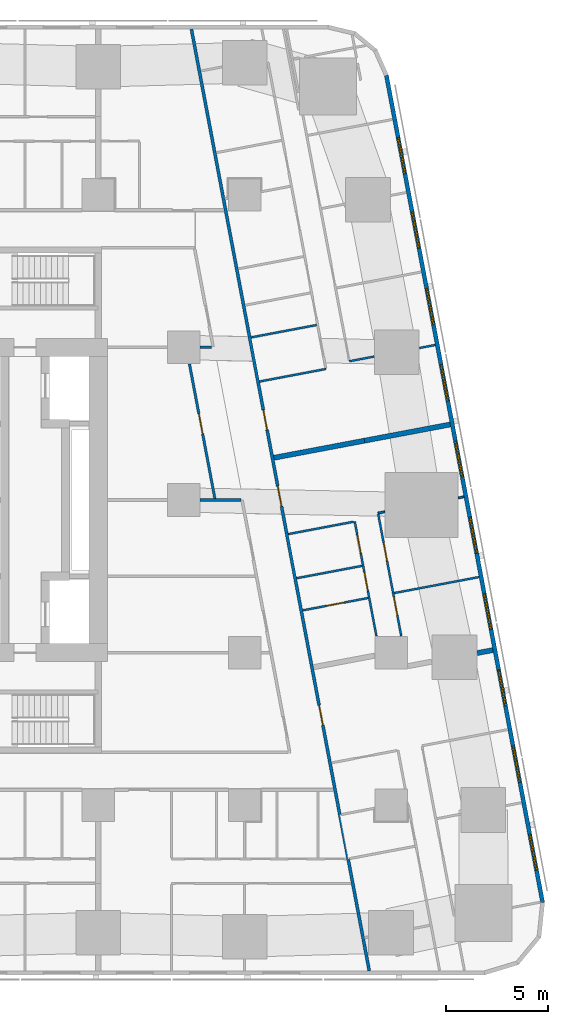
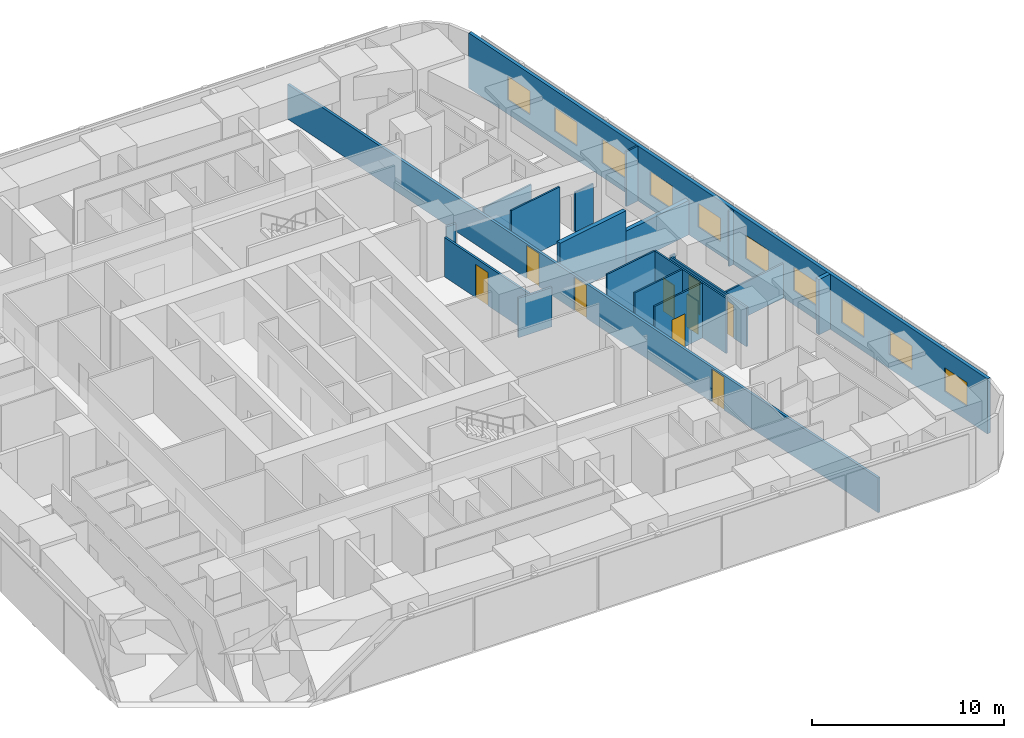
# One storey, part 7 of 15: 20 walls, 10 windows, 9 doors, 19 openings.
"""IFC4 building model written with IfcOpenShell, lengths in metres."""

from ifc_helpers import new_model, si_unit, direction, frame, frame_2d, origin, place, context, subcontext, project, spatial, rectangle, extrude, material, layer, layer_set, type_object, element, fill, save


model = new_model("IFC4")

# Units and contexts
model_context = context("Model", 3, precision=1e-05, world=origin(), true_north=direction((0.0, 1.0)))
body_context = subcontext(model_context, "Body", "Model", "MODEL_VIEW")
ifc_project = project(units=[si_unit("LENGTHUNIT", "METRE"), si_unit("AREAUNIT", "SQUARE_METRE"), si_unit("VOLUMEUNIT", "CUBIC_METRE"), si_unit("PLANEANGLEUNIT", "RADIAN"), si_unit("MASSUNIT", "GRAM", prefix="KILO")], contexts=[model_context])

# Site, building, storey
site_placement = place(None, origin())
site = spatial("IfcSite", under=ifc_project, at=site_placement, CompositionType="ELEMENT")
building_placement = place(site_placement, origin())
building = spatial("IfcBuilding", under=site, at=building_placement, Name="Sheger Commons Tower", CompositionType="ELEMENT")
storey_placement = place(building_placement, frame((0.0, 0.0, 81.64990234375)))
storey = spatial("IfcBuildingStorey", under=building, at=storey_placement, Name="L20", CompositionType="ELEMENT", Elevation=81.64990234375)

# Wall, openings, doors
ifc_material_1 = material(Name="Hollow concrete block masonry, skimmed both sides", Category="masonry")
ifc_layer_1 = layer(ifc_material_1, 0.14990234375)
ifc_layer_set_1 = layer_set([ifc_layer_1], Name="CORRIDOR WALL 150")
wall_type_1 = type_object("IfcWallType", Name="CORRIDOR WALL 150", PredefinedType="SOLIDWALL", material=ifc_layer_set_1)
wall_1_placement = place(storey_placement, frame((33.382080078125, 45.64990234375, 0.0), z_axis=(0.0, 0.0, 1.0), x_axis=(0.185593544777, -0.982626600565, 0.0)))
wall_1 = element("IfcWall", 1, at=wall_1_placement, inside=storey, type_object=wall_type_1, Name="Corridor wall L20", PredefinedType="SOLIDWALL", context=body_context, shape_type="SweptSolid", body=[
    extrude(rectangle(XDim=47.118408203125, YDim=0.14990234375, at=frame_2d((23.55908203125, 0.0))), origin(), (0.0, 0.0, 1.0), 2.2001953125),
])
opening_1_placement = place(wall_1_placement, frame((19.053955078125, 0.0, 0.0)))
opening_1 = element("IfcOpeningElement", 2, at=opening_1_placement, cuts=wall_1, Name="Opening D1", PredefinedType="OPENING", context=body_context, shape_type="SweptSolid", body=[
    extrude(rectangle(XDim=1.0, YDim=2.10009765625, at=frame_2d((0.5, 1.050048828125))), frame((0.0, 0.0849609375, 0.0), z_axis=(0.0, -1.0, 0.0), x_axis=(1.0, 0.0, 0.0)), (0.0, 0.0, 1.0), 0.169921875),
])
opening_2_placement = place(wall_1_placement, frame((22.8701171875, 0.0, 0.0)))
opening_2 = element("IfcOpeningElement", 3, at=opening_2_placement, cuts=wall_1, Name="Opening D1", PredefinedType="OPENING", context=body_context, shape_type="SweptSolid", body=[
    extrude(rectangle(XDim=1.0, YDim=2.10009765625, at=frame_2d((0.5, 1.050048828125))), frame((0.0, 0.0849609375, 0.0), z_axis=(0.0, -1.0, 0.0), x_axis=(1.0, 0.0, 0.0)), (0.0, 0.0, 1.0), 0.169921875),
])
opening_3_placement = place(wall_1_placement, frame((33.8330078125, 0.0, 0.0)))
opening_3 = element("IfcOpeningElement", 4, at=opening_3_placement, cuts=wall_1, Name="Opening D1", PredefinedType="OPENING", context=body_context, shape_type="SweptSolid", body=[
    extrude(rectangle(XDim=1.0, YDim=2.10009765625, at=frame_2d((0.5, 1.050048828125))), frame((0.0, 0.0849609375, 0.0), z_axis=(0.0, -1.0, 0.0), x_axis=(1.0, 0.0, 0.0)), (0.0, 0.0, 1.0), 0.169921875),
])
ifc_material_2 = material(Name="Steel door set, fire rated", Category="steel")
door_type_1 = type_object("IfcDoorType", Name="FLAT ENTRANCE DOOR 1000x2100", OperationType="NOTDEFINED", PredefinedType="DOOR", material=ifc_material_2)
door_1_placement = place(opening_1_placement, origin())
door_1 = element("IfcDoor", 5, at=door_1_placement, inside=storey, type_object=door_type_1, Name="Flat entrance door", OperationType="SINGLE_SWING_RIGHT", OverallHeight=2.10009765625, OverallWidth=1.0, PredefinedType="DOOR", context=body_context, shape_type="SweptSolid", body=[
    extrude(rectangle(XDim=1.0, YDim=2.10009765625, at=frame_2d((0.5, 1.050048828125))), frame((0.0, 0.02490234375, 0.0), z_axis=(0.0, -1.0, 0.0), x_axis=(1.0, 0.0, 0.0)), (0.0, 0.0, 1.0), 0.050048828125),
])
fill(opening_1, door_1)
door_2_placement = place(opening_2_placement, origin())
door_2 = element("IfcDoor", 6, at=door_2_placement, inside=storey, type_object=door_type_1, Name="Flat entrance door", OperationType="SINGLE_SWING_LEFT", OverallHeight=2.10009765625, OverallWidth=1.0, PredefinedType="DOOR", context=body_context, shape_type="SweptSolid", body=[
    extrude(rectangle(XDim=1.0, YDim=2.10009765625, at=frame_2d((0.5, 1.050048828125))), frame((0.0, 0.02490234375, 0.0), z_axis=(0.0, -1.0, 0.0), x_axis=(1.0, 0.0, 0.0)), (0.0, 0.0, 1.0), 0.050048828125),
])
fill(opening_2, door_2)
door_3_placement = place(opening_3_placement, origin())
door_3 = element("IfcDoor", 7, at=door_3_placement, inside=storey, type_object=door_type_1, Name="Flat entrance door", OperationType="SINGLE_SWING_LEFT", OverallHeight=2.10009765625, OverallWidth=1.0, PredefinedType="DOOR", context=body_context, shape_type="SweptSolid", body=[
    extrude(rectangle(XDim=1.0, YDim=2.10009765625, at=frame_2d((0.5, 1.050048828125))), frame((0.0, 0.02490234375, 0.0), z_axis=(0.0, -1.0, 0.0), x_axis=(1.0, 0.0, 0.0)), (0.0, 0.0, 1.0), 0.050048828125),
])
fill(opening_3, door_3)

# Walls
ifc_material_3 = material(Name="Dense concrete block masonry, plastered both sides (separating wall between flats)", Category="masonry")
ifc_layer_2 = layer(ifc_material_3, 0.25)
ifc_layer_set_2 = layer_set([ifc_layer_2], Name="DEMISING WALL 250")
wall_type_2 = type_object("IfcWallType", Name="DEMISING WALL 250", PredefinedType="SOLIDWALL", material=ifc_layer_set_2)
wall_2_placement = place(storey_placement, frame((46.110107421875, 26.212890625, 0.0), z_axis=(0.0, 0.0, 1.0), x_axis=(-0.982633535512, -0.185556823879, 0.0)))
element("IfcWall", 8, at=wall_2_placement, inside=storey, type_object=wall_type_2, Name="Demising wall L20", PredefinedType="SOLIDWALL", context=body_context, shape_type="SweptSolid", body=[
    extrude(rectangle(XDim=4.2998046875, YDim=0.25, at=frame_2d((2.14990234375, 0.0))), origin(), (0.0, 0.0, 1.0), 2.2001953125),
])
wall_3_placement = place(storey_placement, frame((41.885009765625, 25.4150390625, 0.0), z_axis=(0.0, 0.0, 1.0), x_axis=(-0.982612837616, -0.185666398014, 0.0)))
element("IfcWall", 9, at=wall_3_placement, inside=storey, type_object=wall_type_2, Name="Demising wall L20", PredefinedType="SOLIDWALL", context=body_context, shape_type="SweptSolid", body=[
    extrude(rectangle(XDim=4.524658203125, YDim=0.25, at=frame_2d((2.26220703125, 0.0))), origin(), (0.0, 0.0, 1.0), 3.5),
])
wall_4_placement = place(storey_placement, frame((48.2060546875, 15.1201171875, 0.0), z_axis=(0.0, 0.0, 1.0), x_axis=(-0.982638023929, -0.185533053469, 0.0)))
element("IfcWall", 10, at=wall_4_placement, inside=storey, type_object=wall_type_2, Name="Demising wall L20", PredefinedType="SOLIDWALL", context=body_context, shape_type="SweptSolid", body=[
    extrude(rectangle(XDim=0.78173828125, YDim=0.25, at=frame_2d((0.390869140625, 0.0))), origin(), (0.0, 0.0, 1.0), 3.5),
])

# Wall, openings, windows
ifc_material_4 = material(Name="Rendered concrete block masonry, dark grey", Category="masonry")
ifc_layer_3 = layer(ifc_material_4, 0.199951171875)
ifc_layer_set_3 = layer_set([ifc_layer_3], Name="FACADE WALL 200")
wall_type_3 = type_object("IfcWallType", Name="FACADE WALL 200", PredefinedType="SOLIDWALL", material=ifc_layer_set_3)
wall_5_placement = place(storey_placement, frame((50.653076171875, 2.702880859375, 0.0), z_axis=(0.0, 0.0, 1.0), x_axis=(-0.185612026696, 0.982623109613, 0.0)))
wall_5 = element("IfcWall", 11, at=wall_5_placement, inside=storey, type_object=wall_type_3, Name="Facade wall L20", PredefinedType="SOLIDWALL", context=body_context, shape_type="SweptSolid", body=[
    extrude(rectangle(XDim=41.393310546875, YDim=0.199951171875, at=frame_2d((20.69677734375, 0.0))), origin(), (0.0, 0.0, 1.0), 3.5),
])
opening_4_placement = place(wall_5_placement, frame((1.633056640625, 0.0, 0.89990234375)))
opening_4 = element("IfcOpeningElement", 12, at=opening_4_placement, cuts=wall_5, Name="Opening W2", PredefinedType="OPENING", context=body_context, shape_type="SweptSolid", body=[
    extrude(rectangle(XDim=1.800048828125, YDim=1.5, at=frame_2d((0.89990234375, 0.75))), frame((0.0, 0.10986328125, 0.0), z_axis=(0.0, -1.0, 0.0), x_axis=(1.0, 0.0, 0.0)), (0.0, 0.0, 1.0), 0.219970703125),
])
opening_5_placement = place(wall_5_placement, frame((6.031982421875, 0.0, 0.89990234375)))
opening_5 = element("IfcOpeningElement", 13, at=opening_5_placement, cuts=wall_5, Name="Opening W2", PredefinedType="OPENING", context=body_context, shape_type="SweptSolid", body=[
    extrude(rectangle(XDim=1.800048828125, YDim=1.5, at=frame_2d((0.89990234375, 0.75))), frame((0.0, 0.10986328125, 0.0), z_axis=(0.0, -1.0, 0.0), x_axis=(1.0, 0.0, 0.0)), (0.0, 0.0, 1.0), 0.219970703125),
])
opening_6_placement = place(wall_5_placement, frame((9.847900390625, 0.0, 0.89990234375)))
opening_6 = element("IfcOpeningElement", 14, at=opening_6_placement, cuts=wall_5, Name="Opening W2", PredefinedType="OPENING", context=body_context, shape_type="SweptSolid", body=[
    extrude(rectangle(XDim=1.800048828125, YDim=1.5, at=frame_2d((0.89990234375, 0.75))), frame((0.0, 0.10986328125, 0.0), z_axis=(0.0, -1.0, 0.0), x_axis=(1.0, 0.0, 0.0)), (0.0, 0.0, 1.0), 0.219970703125),
])
opening_7_placement = place(wall_5_placement, frame((13.6640625, 0.0, 0.89990234375)))
opening_7 = element("IfcOpeningElement", 15, at=opening_7_placement, cuts=wall_5, Name="Opening W2", PredefinedType="OPENING", context=body_context, shape_type="SweptSolid", body=[
    extrude(rectangle(XDim=1.800048828125, YDim=1.5, at=frame_2d((0.89990234375, 0.75))), frame((0.0, 0.10986328125, 0.0), z_axis=(0.0, -1.0, 0.0), x_axis=(1.0, 0.0, 0.0)), (0.0, 0.0, 1.0), 0.219970703125),
])
opening_8_placement = place(wall_5_placement, frame((17.48095703125, 0.0, 0.89990234375)))
opening_8 = element("IfcOpeningElement", 16, at=opening_8_placement, cuts=wall_5, Name="Opening W2", PredefinedType="OPENING", context=body_context, shape_type="SweptSolid", body=[
    extrude(rectangle(XDim=1.800048828125, YDim=1.5, at=frame_2d((0.89990234375, 0.75))), frame((0.0, 0.10986328125, 0.0), z_axis=(0.0, -1.0, 0.0), x_axis=(1.0, 0.0, 0.0)), (0.0, 0.0, 1.0), 0.219970703125),
])
opening_9_placement = place(wall_5_placement, frame((21.297119140625, 0.0, 0.89990234375)))
opening_9 = element("IfcOpeningElement", 17, at=opening_9_placement, cuts=wall_5, Name="Opening W2", PredefinedType="OPENING", context=body_context, shape_type="SweptSolid", body=[
    extrude(rectangle(XDim=1.800048828125, YDim=1.5, at=frame_2d((0.89990234375, 0.75))), frame((0.0, 0.10986328125, 0.0), z_axis=(0.0, -1.0, 0.0), x_axis=(1.0, 0.0, 0.0)), (0.0, 0.0, 1.0), 0.219970703125),
])
opening_10_placement = place(wall_5_placement, frame((25.113037109375, 0.0, 0.89990234375)))
opening_10 = element("IfcOpeningElement", 18, at=opening_10_placement, cuts=wall_5, Name="Opening W2", PredefinedType="OPENING", context=body_context, shape_type="SweptSolid", body=[
    extrude(rectangle(XDim=1.800048828125, YDim=1.5, at=frame_2d((0.89990234375, 0.75))), frame((0.0, 0.10986328125, 0.0), z_axis=(0.0, -1.0, 0.0), x_axis=(1.0, 0.0, 0.0)), (0.0, 0.0, 1.0), 0.219970703125),
])
opening_11_placement = place(wall_5_placement, frame((28.929931640625, 0.0, 0.89990234375)))
opening_11 = element("IfcOpeningElement", 19, at=opening_11_placement, cuts=wall_5, Name="Opening W2", PredefinedType="OPENING", context=body_context, shape_type="SweptSolid", body=[
    extrude(rectangle(XDim=1.800048828125, YDim=1.5, at=frame_2d((0.89990234375, 0.75))), frame((0.0, 0.10986328125, 0.0), z_axis=(0.0, -1.0, 0.0), x_axis=(1.0, 0.0, 0.0)), (0.0, 0.0, 1.0), 0.219970703125),
])
opening_12_placement = place(wall_5_placement, frame((32.74609375, 0.0, 0.89990234375)))
opening_12 = element("IfcOpeningElement", 20, at=opening_12_placement, cuts=wall_5, Name="Opening W2", PredefinedType="OPENING", context=body_context, shape_type="SweptSolid", body=[
    extrude(rectangle(XDim=1.800048828125, YDim=1.5, at=frame_2d((0.89990234375, 0.75))), frame((0.0, 0.10986328125, 0.0), z_axis=(0.0, -1.0, 0.0), x_axis=(1.0, 0.0, 0.0)), (0.0, 0.0, 1.0), 0.219970703125),
])
opening_13_placement = place(wall_5_placement, frame((36.48095703125, 0.0, 0.89990234375)))
opening_13 = element("IfcOpeningElement", 21, at=opening_13_placement, cuts=wall_5, Name="Opening W2", PredefinedType="OPENING", context=body_context, shape_type="SweptSolid", body=[
    extrude(rectangle(XDim=1.800048828125, YDim=1.5, at=frame_2d((0.89990234375, 0.75))), frame((0.0, 0.10986328125, 0.0), z_axis=(0.0, -1.0, 0.0), x_axis=(1.0, 0.0, 0.0)), (0.0, 0.0, 1.0), 0.219970703125),
])
ifc_material_5 = material(Name="Black aluminium frame, dark tinted double glazing", Category="aluminium")
window_type = type_object("IfcWindowType", Name="WINDOW W2 1800x1500", PartitioningType="SINGLE_PANEL", PredefinedType="WINDOW", material=ifc_material_5)
window_1_placement = place(opening_4_placement, origin())
window_1 = element("IfcWindow", 22, at=window_1_placement, inside=storey, type_object=window_type, Name="Window W2 1800X1500", OverallHeight=1.5, OverallWidth=1.800048828125, PartitioningType="SINGLE_PANEL", PredefinedType="WINDOW", context=body_context, shape_type="SweptSolid", body=[
    extrude(rectangle(XDim=1.800048828125, YDim=1.5, at=frame_2d((0.89990234375, 0.75))), frame((0.0, 0.030029296875, 0.0), z_axis=(0.0, -1.0, 0.0), x_axis=(1.0, 0.0, 0.0)), (0.0, 0.0, 1.0), 0.06005859375),
])
fill(opening_4, window_1)
window_2_placement = place(opening_5_placement, origin())
window_2 = element("IfcWindow", 23, at=window_2_placement, inside=storey, type_object=window_type, Name="Window W2 1800X1500", OverallHeight=1.5, OverallWidth=1.800048828125, PartitioningType="SINGLE_PANEL", PredefinedType="WINDOW", context=body_context, shape_type="SweptSolid", body=[
    extrude(rectangle(XDim=1.800048828125, YDim=1.5, at=frame_2d((0.89990234375, 0.75))), frame((0.0, 0.030029296875, 0.0), z_axis=(0.0, -1.0, 0.0), x_axis=(1.0, 0.0, 0.0)), (0.0, 0.0, 1.0), 0.06005859375),
])
fill(opening_5, window_2)
window_3_placement = place(opening_6_placement, origin())
window_3 = element("IfcWindow", 24, at=window_3_placement, inside=storey, type_object=window_type, Name="Window W2 1800X1500", OverallHeight=1.5, OverallWidth=1.800048828125, PartitioningType="SINGLE_PANEL", PredefinedType="WINDOW", context=body_context, shape_type="SweptSolid", body=[
    extrude(rectangle(XDim=1.800048828125, YDim=1.5, at=frame_2d((0.89990234375, 0.75))), frame((0.0, 0.030029296875, 0.0), z_axis=(0.0, -1.0, 0.0), x_axis=(1.0, 0.0, 0.0)), (0.0, 0.0, 1.0), 0.06005859375),
])
fill(opening_6, window_3)
window_4_placement = place(opening_7_placement, origin())
window_4 = element("IfcWindow", 25, at=window_4_placement, inside=storey, type_object=window_type, Name="Window W2 1800X1500", OverallHeight=1.5, OverallWidth=1.800048828125, PartitioningType="SINGLE_PANEL", PredefinedType="WINDOW", context=body_context, shape_type="SweptSolid", body=[
    extrude(rectangle(XDim=1.800048828125, YDim=1.5, at=frame_2d((0.89990234375, 0.75))), frame((0.0, 0.030029296875, 0.0), z_axis=(0.0, -1.0, 0.0), x_axis=(1.0, 0.0, 0.0)), (0.0, 0.0, 1.0), 0.06005859375),
])
fill(opening_7, window_4)
window_5_placement = place(opening_8_placement, origin())
window_5 = element("IfcWindow", 26, at=window_5_placement, inside=storey, type_object=window_type, Name="Window W2 1800X1500", OverallHeight=1.5, OverallWidth=1.800048828125, PartitioningType="SINGLE_PANEL", PredefinedType="WINDOW", context=body_context, shape_type="SweptSolid", body=[
    extrude(rectangle(XDim=1.800048828125, YDim=1.5, at=frame_2d((0.89990234375, 0.75))), frame((0.0, 0.030029296875, 0.0), z_axis=(0.0, -1.0, 0.0), x_axis=(1.0, 0.0, 0.0)), (0.0, 0.0, 1.0), 0.06005859375),
])
fill(opening_8, window_5)
window_6_placement = place(opening_9_placement, origin())
window_6 = element("IfcWindow", 27, at=window_6_placement, inside=storey, type_object=window_type, Name="Window W2 1800X1500", OverallHeight=1.5, OverallWidth=1.800048828125, PartitioningType="SINGLE_PANEL", PredefinedType="WINDOW", context=body_context, shape_type="SweptSolid", body=[
    extrude(rectangle(XDim=1.800048828125, YDim=1.5, at=frame_2d((0.89990234375, 0.75))), frame((0.0, 0.030029296875, 0.0), z_axis=(0.0, -1.0, 0.0), x_axis=(1.0, 0.0, 0.0)), (0.0, 0.0, 1.0), 0.06005859375),
])
fill(opening_9, window_6)
window_7_placement = place(opening_10_placement, origin())
window_7 = element("IfcWindow", 28, at=window_7_placement, inside=storey, type_object=window_type, Name="Window W2 1800X1500", OverallHeight=1.5, OverallWidth=1.800048828125, PartitioningType="SINGLE_PANEL", PredefinedType="WINDOW", context=body_context, shape_type="SweptSolid", body=[
    extrude(rectangle(XDim=1.800048828125, YDim=1.5, at=frame_2d((0.89990234375, 0.75))), frame((0.0, 0.030029296875, 0.0), z_axis=(0.0, -1.0, 0.0), x_axis=(1.0, 0.0, 0.0)), (0.0, 0.0, 1.0), 0.06005859375),
])
fill(opening_10, window_7)
window_8_placement = place(opening_11_placement, origin())
window_8 = element("IfcWindow", 29, at=window_8_placement, inside=storey, type_object=window_type, Name="Window W2 1800X1500", OverallHeight=1.5, OverallWidth=1.800048828125, PartitioningType="SINGLE_PANEL", PredefinedType="WINDOW", context=body_context, shape_type="SweptSolid", body=[
    extrude(rectangle(XDim=1.800048828125, YDim=1.5, at=frame_2d((0.89990234375, 0.75))), frame((0.0, 0.030029296875, 0.0), z_axis=(0.0, -1.0, 0.0), x_axis=(1.0, 0.0, 0.0)), (0.0, 0.0, 1.0), 0.06005859375),
])
fill(opening_11, window_8)
window_9_placement = place(opening_12_placement, origin())
window_9 = element("IfcWindow", 30, at=window_9_placement, inside=storey, type_object=window_type, Name="Window W2 1800X1500", OverallHeight=1.5, OverallWidth=1.800048828125, PartitioningType="SINGLE_PANEL", PredefinedType="WINDOW", context=body_context, shape_type="SweptSolid", body=[
    extrude(rectangle(XDim=1.800048828125, YDim=1.5, at=frame_2d((0.89990234375, 0.75))), frame((0.0, 0.030029296875, 0.0), z_axis=(0.0, -1.0, 0.0), x_axis=(1.0, 0.0, 0.0)), (0.0, 0.0, 1.0), 0.06005859375),
])
fill(opening_12, window_9)
window_10_placement = place(opening_13_placement, origin())
window_10 = element("IfcWindow", 31, at=window_10_placement, inside=storey, type_object=window_type, Name="Window W2 1800X1500", OverallHeight=1.5, OverallWidth=1.800048828125, PartitioningType="SINGLE_PANEL", PredefinedType="WINDOW", context=body_context, shape_type="SweptSolid", body=[
    extrude(rectangle(XDim=1.800048828125, YDim=1.5, at=frame_2d((0.89990234375, 0.75))), frame((0.0, 0.030029296875, 0.0), z_axis=(0.0, -1.0, 0.0), x_axis=(1.0, 0.0, 0.0)), (0.0, 0.0, 1.0), 0.06005859375),
])
fill(opening_13, window_10)

# Walls
ifc_material_6 = material(Name="Gypsum board on steel studs", Category="steel")
ifc_layer_4 = layer(ifc_material_6, 0.10009765625)
ifc_layer_set_4 = layer_set([ifc_layer_4], Name="PARTITION 100")
wall_type_4 = type_object("IfcWallType", Name="PARTITION 100", PredefinedType="PARTITIONING", material=ifc_layer_set_4)
wall_6_placement = place(storey_placement, frame((45.3720703125, 30.12109375, 0.0), z_axis=(0.0, 0.0, 1.0), x_axis=(-0.982512656401, -0.186195810938, 0.0)))
element("IfcWall", 32, at=wall_6_placement, inside=storey, type_object=wall_type_4, Name="Partition L20", PredefinedType="PARTITIONING", context=body_context, shape_type="SweptSolid", body=[
    extrude(rectangle(XDim=0.7958984375, YDim=0.10009765625, at=frame_2d((0.39794921875, 0.0))), origin(), (0.0, 0.0, 1.0), 3.5),
])
wall_7_placement = place(storey_placement, frame((42.3701171875, 29.552978515625, 0.0), z_axis=(0.0, 0.0, 1.0), x_axis=(-0.98263602344, -0.185543648338, 0.0)))
element("IfcWall", 33, at=wall_7_placement, inside=storey, type_object=wall_type_4, Name="Partition L20", PredefinedType="PARTITIONING", context=body_context, shape_type="SweptSolid", body=[
    extrude(rectangle(XDim=1.244873046875, YDim=0.10009765625, at=frame_2d((0.62255859375, 0.0))), origin(), (0.0, 0.0, 1.0), 2.5),
])
wall_8_placement = place(storey_placement, frame((39.9970703125, 28.94189453125, 0.0), z_axis=(0.0, 0.0, 1.0), x_axis=(-0.982569883123, -0.185893584556, 0.0)))
element("IfcWall", 34, at=wall_8_placement, inside=storey, type_object=wall_type_4, Name="Partition L20", PredefinedType="PARTITIONING", context=body_context, shape_type="SweptSolid", body=[
    extrude(rectangle(XDim=3.323974609375, YDim=0.10009765625, at=frame_2d((1.662109375, 0.0))), origin(), (0.0, 0.0, 1.0), 3.5),
])
wall_9_placement = place(storey_placement, frame((39.5380859375, 31.10400390625, 0.0), z_axis=(0.0, 0.0, 1.0), x_axis=(-0.982610347627, -0.185679575441, 0.0)))
element("IfcWall", 35, at=wall_9_placement, inside=storey, type_object=wall_type_4, Name="Partition L20", PredefinedType="PARTITIONING", context=body_context, shape_type="SweptSolid", body=[
    extrude(rectangle(XDim=3.27392578125, YDim=0.10009765625, at=frame_2d((1.636962890625, 0.0))), origin(), (0.0, 0.0, 1.0), 2.5),
])

# Wall, openings, doors
wall_10_placement = place(storey_placement, frame((42.56591796875, 21.80908203125, 0.0), z_axis=(0.0, 0.0, 1.0), x_axis=(0.18559218796, -0.982626856832, 0.0)))
wall_10 = element("IfcWall", 36, at=wall_10_placement, inside=storey, type_object=wall_type_4, Name="Partition L20", PredefinedType="PARTITIONING", context=body_context, shape_type="SweptSolid", body=[
    extrude(rectangle(XDim=6.10498046875, YDim=0.10009765625, at=frame_2d((3.052490234375, 0.0))), origin(), (0.0, 0.0, 1.0), 2.5),
])
opening_14_placement = place(wall_10_placement, frame((1.449951171875, 0.0, 0.0)))
opening_14 = element("IfcOpeningElement", 37, at=opening_14_placement, cuts=wall_10, Name="Opening D2", PredefinedType="OPENING", context=body_context, shape_type="SweptSolid", body=[
    extrude(rectangle(XDim=0.89990234375, YDim=2.10009765625, at=frame_2d((0.449951171875, 1.050048828125))), frame((0.0, 0.06005859375, 0.0), z_axis=(0.0, -1.0, 0.0), x_axis=(1.0, 0.0, 0.0)), (0.0, 0.0, 1.0), 0.1201171875),
])
opening_15_placement = place(wall_10_placement, frame((4.1630859375, 0.0, 0.0)))
opening_15 = element("IfcOpeningElement", 38, at=opening_15_placement, cuts=wall_10, Name="Opening D2", PredefinedType="OPENING", context=body_context, shape_type="SweptSolid", body=[
    extrude(rectangle(XDim=0.89990234375, YDim=2.10009765625, at=frame_2d((0.449951171875, 1.050048828125))), frame((0.0, 0.06005859375, 0.0), z_axis=(0.0, -1.0, 0.0), x_axis=(1.0, 0.0, 0.0)), (0.0, 0.0, 1.0), 0.1201171875),
])
ifc_material_7 = material(Name="Timber door set", Category="wood")
door_type_2 = type_object("IfcDoorType", Name="INTERNAL DOOR 900x2100", OperationType="NOTDEFINED", PredefinedType="DOOR", material=ifc_material_7)
door_4_placement = place(opening_14_placement, origin())
door_4 = element("IfcDoor", 39, at=door_4_placement, inside=storey, type_object=door_type_2, Name="Main bedroom door", OperationType="SINGLE_SWING_LEFT", OverallHeight=2.10009765625, OverallWidth=0.89990234375, PredefinedType="DOOR", context=body_context, shape_type="SweptSolid", body=[
    extrude(rectangle(XDim=0.89990234375, YDim=2.10009765625, at=frame_2d((0.449951171875, 1.050048828125))), frame((0.0, 0.02490234375, 0.0), z_axis=(0.0, -1.0, 0.0), x_axis=(1.0, 0.0, 0.0)), (0.0, 0.0, 1.0), 0.050048828125),
])
fill(opening_14, door_4)
door_5_placement = place(opening_15_placement, origin())
door_5 = element("IfcDoor", 40, at=door_5_placement, inside=storey, type_object=door_type_2, Name="Bedroom 2 door", OperationType="SINGLE_SWING_LEFT", OverallHeight=2.10009765625, OverallWidth=0.89990234375, PredefinedType="DOOR", context=body_context, shape_type="SweptSolid", body=[
    extrude(rectangle(XDim=0.89990234375, YDim=2.10009765625, at=frame_2d((0.449951171875, 1.050048828125))), frame((0.0, 0.02490234375, 0.0), z_axis=(0.0, -1.0, 0.0), x_axis=(1.0, 0.0, 0.0)), (0.0, 0.0, 1.0), 0.050048828125),
])
fill(opening_15, door_5)

wall_11_placement = place(storey_placement, frame((41.4140625, 21.44189453125, 0.0), z_axis=(0.0, 0.0, 1.0), x_axis=(0.185636022079, -0.982618576716, 0.0)))
wall_11 = element("IfcWall", 41, at=wall_11_placement, inside=storey, type_object=wall_type_4, Name="Partition L20", PredefinedType="PARTITIONING", context=body_context, shape_type="SweptSolid", body=[
    extrude(rectangle(XDim=5.7314453125, YDim=0.10009765625, at=frame_2d((2.86572265625, 0.0))), origin(), (0.0, 0.0, 1.0), 3.5),
])
opening_16_placement = place(wall_11_placement, frame((0.655029296875, 0.0, 0.0)))
opening_16 = element("IfcOpeningElement", 42, at=opening_16_placement, cuts=wall_11, Name="Opening D2", PredefinedType="OPENING", context=body_context, shape_type="SweptSolid", body=[
    extrude(rectangle(XDim=0.89990234375, YDim=2.10009765625, at=frame_2d((0.449951171875, 1.050048828125))), frame((0.0, 0.06005859375, 0.0), z_axis=(0.0, -1.0, 0.0), x_axis=(1.0, 0.0, 0.0)), (0.0, 0.0, 1.0), 0.1201171875),
])
opening_17_placement = place(wall_11_placement, frame((2.56298828125, 0.0, 0.0)))
opening_17 = element("IfcOpeningElement", 43, at=opening_17_placement, cuts=wall_11, Name="Opening D2", PredefinedType="OPENING", context=body_context, shape_type="SweptSolid", body=[
    extrude(rectangle(XDim=0.89990234375, YDim=2.10009765625, at=frame_2d((0.449951171875, 1.050048828125))), frame((0.0, 0.06005859375, 0.0), z_axis=(0.0, -1.0, 0.0), x_axis=(1.0, 0.0, 0.0)), (0.0, 0.0, 1.0), 0.1201171875),
])
door_6_placement = place(opening_16_placement, origin())
door_6 = element("IfcDoor", 44, at=door_6_placement, inside=storey, type_object=door_type_2, Name="Bathroom door", OperationType="SINGLE_SWING_RIGHT", OverallHeight=2.10009765625, OverallWidth=0.89990234375, PredefinedType="DOOR", context=body_context, shape_type="SweptSolid", body=[
    extrude(rectangle(XDim=0.89990234375, YDim=2.10009765625, at=frame_2d((0.449951171875, 1.050048828125))), frame((0.0, 0.02490234375, 0.0), z_axis=(0.0, -1.0, 0.0), x_axis=(1.0, 0.0, 0.0)), (0.0, 0.0, 1.0), 0.050048828125),
])
fill(opening_16, door_6)
door_7_placement = place(opening_17_placement, origin())
door_7 = element("IfcDoor", 45, at=door_7_placement, inside=storey, type_object=door_type_2, Name="Store door", OperationType="SINGLE_SWING_RIGHT", OverallHeight=2.10009765625, OverallWidth=0.89990234375, PredefinedType="DOOR", context=body_context, shape_type="SweptSolid", body=[
    extrude(rectangle(XDim=0.89990234375, YDim=2.10009765625, at=frame_2d((0.449951171875, 1.050048828125))), frame((0.0, 0.02490234375, 0.0), z_axis=(0.0, -1.0, 0.0), x_axis=(1.0, 0.0, 0.0)), (0.0, 0.0, 1.0), 0.050048828125),
])
fill(opening_17, door_7)

# Walls
wall_12_placement = place(storey_placement, frame((46.781982421875, 22.656982421875, 0.0), z_axis=(0.0, 0.0, 1.0), x_axis=(-0.982574553168, -0.185868898601, 0.0)))
element("IfcWall", 46, at=wall_12_placement, inside=storey, type_object=wall_type_4, Name="Partition L20", PredefinedType="PARTITIONING", context=body_context, shape_type="SweptSolid", body=[
    extrude(rectangle(XDim=0.27978515625, YDim=0.10009765625, at=frame_2d((0.139892578125, 0.0))), origin(), (0.0, 0.0, 1.0), 3.5),
])
wall_13_placement = place(storey_placement, frame((42.886962890625, 21.9208984375, 0.0), z_axis=(0.0, 0.0, 1.0), x_axis=(-0.982274918032, -0.187445953293, 0.0)))
element("IfcWall", 47, at=wall_13_placement, inside=storey, type_object=wall_type_4, Name="Partition L20", PredefinedType="PARTITIONING", context=body_context, shape_type="SweptSolid", body=[
    extrude(rectangle(XDim=0.3359375, YDim=0.10009765625, at=frame_2d((0.16796875, 0.0))), origin(), (0.0, 0.0, 1.0), 2.5),
])
wall_14_placement = place(storey_placement, frame((47.527099609375, 18.7119140625, 0.0), z_axis=(0.0, 0.0, 1.0), x_axis=(-0.982665405803, -0.185387972203, 0.0)))
element("IfcWall", 48, at=wall_14_placement, inside=storey, type_object=wall_type_4, Name="Partition L20", PredefinedType="PARTITIONING", context=body_context, shape_type="SweptSolid", body=[
    extrude(rectangle(XDim=4.249755859375, YDim=0.10009765625, at=frame_2d((2.125, 0.0))), origin(), (0.0, 0.0, 1.0), 2.2001953125),
])
wall_15_placement = place(storey_placement, frame((41.364990234375, 21.43310546875, 0.0), z_axis=(0.0, 0.0, 1.0), x_axis=(-0.982607026909, -0.185697147715, 0.0)))
element("IfcWall", 49, at=wall_15_placement, inside=storey, type_object=wall_type_4, Name="Partition L20", PredefinedType="PARTITIONING", context=body_context, shape_type="SweptSolid", body=[
    extrude(rectangle(XDim=3.27490234375, YDim=0.10009765625, at=frame_2d((1.637451171875, 0.0))), origin(), (0.0, 0.0, 1.0), 3.5),
])

# Wall, opening, door
wall_16_placement = place(storey_placement, frame((42.072998046875, 17.681884765625, 0.0), z_axis=(0.0, 0.0, 1.0), x_axis=(-0.982610347627, -0.185679575441, 0.0)))
wall_16 = element("IfcWall", 50, at=wall_16_placement, inside=storey, type_object=wall_type_4, Name="Partition L20", PredefinedType="PARTITIONING", context=body_context, shape_type="SweptSolid", body=[
    extrude(rectangle(XDim=3.27392578125, YDim=0.10009765625, at=frame_2d((1.636962890625, 0.0))), origin(), (0.0, 0.0, 1.0), 3.5),
])
opening_18_placement = place(wall_16_placement, frame((1.199951171875, 0.0, 0.0)))
opening_18 = element("IfcOpeningElement", 51, at=opening_18_placement, cuts=wall_16, Name="Opening D2", PredefinedType="OPENING", context=body_context, shape_type="SweptSolid", body=[
    extrude(rectangle(XDim=0.89990234375, YDim=2.10009765625, at=frame_2d((0.449951171875, 1.050048828125))), frame((0.0, 0.06005859375, 0.0), z_axis=(0.0, -1.0, 0.0), x_axis=(1.0, 0.0, 0.0)), (0.0, 0.0, 1.0), 0.1201171875),
])
door_8_placement = place(opening_18_placement, origin())
door_8 = element("IfcDoor", 52, at=door_8_placement, inside=storey, type_object=door_type_2, Name="Store door", OperationType="SINGLE_SWING_RIGHT", OverallHeight=2.10009765625, OverallWidth=0.89990234375, PredefinedType="DOOR", context=body_context, shape_type="SweptSolid", body=[
    extrude(rectangle(XDim=0.89990234375, YDim=2.10009765625, at=frame_2d((0.449951171875, 1.050048828125))), frame((0.0, 0.02490234375, 0.0), z_axis=(0.0, -1.0, 0.0), x_axis=(1.0, 0.0, 0.0)), (0.0, 0.0, 1.0), 0.050048828125),
])
fill(opening_18, door_8)

# Wall
wall_17_placement = place(storey_placement, frame((41.77490234375, 19.260986328125, 0.0), z_axis=(0.0, 0.0, 1.0), x_axis=(-0.982620626894, -0.185625169636, 0.0)))
element("IfcWall", 53, at=wall_17_placement, inside=storey, type_object=wall_type_4, Name="Partition L20", PredefinedType="PARTITIONING", context=body_context, shape_type="SweptSolid", body=[
    extrude(rectangle(XDim=3.27490234375, YDim=0.10009765625, at=frame_2d((1.637451171875, 0.0))), origin(), (0.0, 0.0, 1.0), 3.5),
])

# Wall, opening, door
ifc_material_8 = material(Name="Gypsum board on steel studs, two layers each side, fire rated", Category="steel")
ifc_layer_5 = layer(ifc_material_8, 0.125)
ifc_layer_set_5 = layer_set([ifc_layer_5], Name="SERVICE WALL 125")
wall_type_5 = type_object("IfcWallType", Name="SERVICE WALL 125", PredefinedType="PARTITIONING", material=ifc_layer_set_5)
wall_18_placement = place(storey_placement, frame((34.534912109375, 22.573974609375, 0.0), z_axis=(0.0, 0.0, 1.0), x_axis=(-0.185591596381, 0.982626968566, 0.0)))
wall_18 = element("IfcWall", 54, at=wall_18_placement, inside=storey, type_object=wall_type_5, Name="Service room wall L20", PredefinedType="PARTITIONING", context=body_context, shape_type="SweptSolid", body=[
    extrude(rectangle(XDim=6.72998046875, YDim=0.125, at=frame_2d((3.364990234375, 0.0))), origin(), (0.0, 0.0, 1.0), 2.5),
])
opening_19_placement = place(wall_18_placement, frame((3.240966796875, 0.0, 0.0)))
opening_19 = element("IfcOpeningElement", 55, at=opening_19_placement, cuts=wall_18, Name="Opening D4", PredefinedType="OPENING", context=body_context, shape_type="SweptSolid", body=[
    extrude(rectangle(XDim=1.0, YDim=2.10009765625, at=frame_2d((0.5, 1.050048828125))), frame((0.0, 0.072509765625, 0.0), z_axis=(0.0, -1.0, 0.0), x_axis=(1.0, 0.0, 0.0)), (0.0, 0.0, 1.0), 0.14501953125),
])
ifc_material_9 = material(Name="Steel door set, fire rated", Category="steel")
door_type_3 = type_object("IfcDoorType", Name="SERVICE DOOR 1000x2100", OperationType="NOTDEFINED", PredefinedType="DOOR", material=ifc_material_9)
door_9_placement = place(opening_19_placement, origin())
door_9 = element("IfcDoor", 56, at=door_9_placement, inside=storey, type_object=door_type_3, Name="Residents' lounge door", OperationType="SINGLE_SWING_RIGHT", OverallHeight=2.10009765625, OverallWidth=1.0, PredefinedType="DOOR", context=body_context, shape_type="SweptSolid", body=[
    extrude(rectangle(XDim=1.0, YDim=2.10009765625, at=frame_2d((0.5, 1.050048828125))), frame((0.0, 0.02490234375, 0.0), z_axis=(0.0, -1.0, 0.0), x_axis=(1.0, 0.0, 0.0)), (0.0, 0.0, 1.0), 0.050048828125),
])
fill(opening_19, door_9)

# Walls
wall_19_placement = place(storey_placement, frame((33.801025390625, 22.5, 0.0), z_axis=(0.0, 0.0, 1.0), x_axis=(1.0, 0.0, 0.0)))
element("IfcWall", 57, at=wall_19_placement, inside=storey, type_object=wall_type_5, Name="Service room wall L20", PredefinedType="PARTITIONING", context=body_context, shape_type="SweptSolid", body=[
    extrude(rectangle(XDim=2.009033203125, YDim=0.125, at=frame_2d((1.00439453125, 0.0))), origin(), (0.0, 0.0, 1.0), 2.5),
])
wall_20_placement = place(storey_placement, frame((33.801025390625, 30.0, 0.0), z_axis=(0.0, 0.0, 1.0), x_axis=(1.0, 0.0, 0.0)))
element("IfcWall", 58, at=wall_20_placement, inside=storey, type_object=wall_type_5, Name="Service room wall L20", PredefinedType="PARTITIONING", context=body_context, shape_type="SweptSolid", body=[
    extrude(rectangle(XDim=0.578857421875, YDim=0.125, at=frame_2d((0.28955078125, 0.0))), origin(), (0.0, 0.0, 1.0), 2.5),
])

save(model, "model.ifc")
